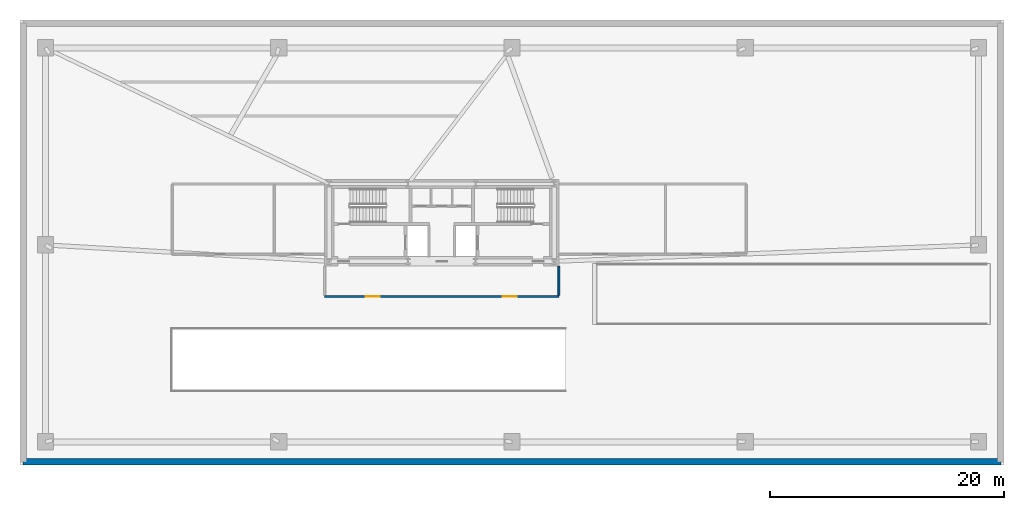
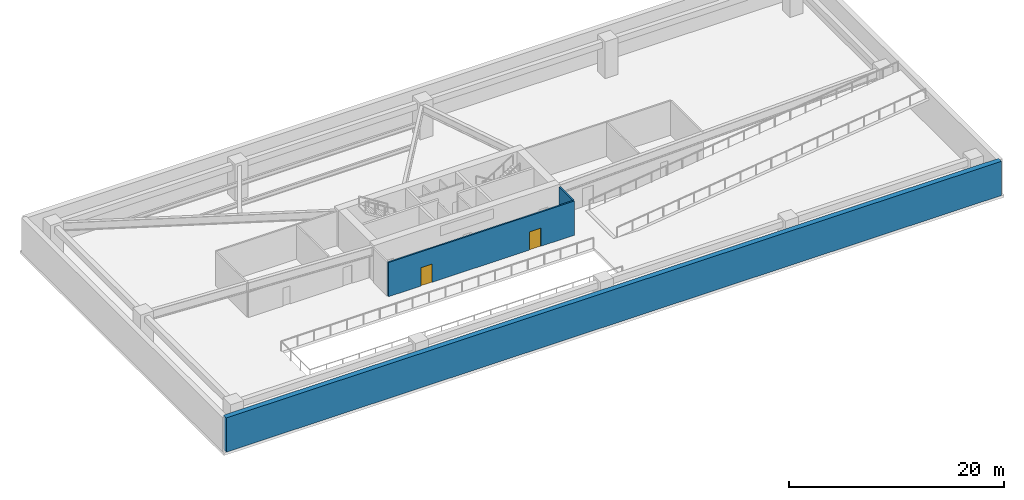
# One storey, part 3 of 7: 3 walls, 2 doors, 2 openings.
"""IFC4 building model written with IfcOpenShell, lengths in metres."""

from ifc_helpers import new_model, si_unit, direction, frame, frame_2d, origin, place, context, subcontext, project, spatial, rectangle, extrude, source, transform, mapped, material, layer, layer_set, type_object, type_shapes, element, fill, save


model = new_model("IFC4")

# Units and contexts
model_context = context("Model", 3, precision=1e-05, world=origin(), true_north=direction((0.0, 1.0)))
body_context = subcontext(model_context, "Body", "Model", "MODEL_VIEW")
ifc_project = project(units=[si_unit("LENGTHUNIT", "METRE"), si_unit("AREAUNIT", "SQUARE_METRE"), si_unit("VOLUMEUNIT", "CUBIC_METRE"), si_unit("PLANEANGLEUNIT", "RADIAN"), si_unit("MASSUNIT", "GRAM", prefix="KILO")], contexts=[model_context])

# Site, building, storey
site_placement = place(None, origin())
site = spatial("IfcSite", under=ifc_project, at=site_placement, CompositionType="ELEMENT")
building_placement = place(site_placement, origin())
building = spatial("IfcBuilding", under=site, at=building_placement, Name="Astriad Promenade Condominiums", CompositionType="ELEMENT")
storey_placement = place(building_placement, frame((0.0, 0.0, -4.199951171875)))
storey = spatial("IfcBuildingStorey", under=building, at=storey_placement, Name="B01", CompositionType="ELEMENT", Elevation=-4.199951171875)

# Wall, openings, doors
ifc_material_1 = material(Name="Fire-Rated Gypsum Partition")
ifc_layer_1 = layer(ifc_material_1, 0.159912109375)
ifc_layer_set_1 = layer_set([ifc_layer_1], Name="Fire-Rated Gypsum Partition")
wall_type_1 = type_object("IfcWallType", Name="WALL-CORR-160", PredefinedType="PARTITIONING", material=ifc_layer_set_1)
wall_1_placement = place(storey_placement, frame((26.0, 14.39990234375, 0.0), z_axis=(0.0, 0.0, 1.0), x_axis=(1.0, 0.0, 0.0)))
wall_1 = element("IfcWall", 1, at=wall_1_placement, inside=storey, type_object=wall_type_1, Name="PT-B01-VLOB-S", PredefinedType="PARTITIONING", context=body_context, shape_type="SweptSolid", body=[
    extrude(rectangle(XDim=20.0, YDim=0.159912109375, at=frame_2d((10.0, 0.0))), origin(), (0.0, 0.0, 1.0), 3.89990234375),
])
opening_1_placement = place(wall_1_placement, frame((3.5, 0.0, 0.0)))
opening_1 = element("IfcOpeningElement", 2, at=opening_1_placement, cuts=wall_1, Name="Opening FD90-PLT-1222", PredefinedType="OPENING", context=body_context, shape_type="SweptSolid", body=[
    extrude(rectangle(XDim=1.199951171875, YDim=2.080078125, at=frame_2d((0.60009765625, 1.0400390625))), frame((0.0, 0.08984375, 0.0), z_axis=(0.0, -1.0, 0.0), x_axis=(1.0, 0.0, 0.0)), (0.0, 0.0, 1.0), 0.179931640625),
])
opening_2_placement = place(wall_1_placement, frame((15.199951171875, 0.0, 0.0)))
opening_2 = element("IfcOpeningElement", 3, at=opening_2_placement, cuts=wall_1, Name="Opening FD90-PLT-1222", PredefinedType="OPENING", context=body_context, shape_type="SweptSolid", body=[
    extrude(rectangle(XDim=1.199951171875, YDim=2.080078125, at=frame_2d((0.60009765625, 1.0400390625))), frame((0.0, 0.08984375, 0.0), z_axis=(0.0, -1.0, 0.0), x_axis=(1.0, 0.0, 0.0)), (0.0, 0.0, 1.0), 0.179931640625),
])
ifc_material_2 = material(Name="Fire-Rated Double-Insulated Plant Door")
door_type = type_object("IfcDoorType", Name="FD90-PLT-1222", OperationType="NOTDEFINED", PredefinedType="DOOR", material=ifc_material_2)
shared_shape = source(origin(), body_context, "Body", "SweptSolid", [
    extrude(rectangle(XDim=1.199951171875, YDim=2.080078125, at=frame_2d((0.60009765625, 1.0400390625))), frame((0.0, 0.02490234375, 0.0), z_axis=(0.0, -1.0, 0.0), x_axis=(1.0, 0.0, 0.0)), (0.0, 0.0, 1.0), 0.050048828125),
])
type_shapes(door_type, [shared_shape])
door_1_placement = place(opening_1_placement, origin())
door_1 = element("IfcDoor", 4, at=door_1_placement, inside=storey, type_object=door_type, Name="D-B01-VL1", OperationType="SINGLE_SWING_LEFT", OverallHeight=2.080078125, OverallWidth=1.199951171875, PredefinedType="DOOR", context=body_context, shape_type="MappedRepresentation", body=[
    mapped(shared_shape, transform((0.0, 0.0, 0.0), scale=1.0)),
])
fill(opening_1, door_1)
door_2_placement = place(opening_2_placement, origin())
door_2 = element("IfcDoor", 5, at=door_2_placement, inside=storey, type_object=door_type, Name="D-B01-VL2", OperationType="SINGLE_SWING_RIGHT", OverallHeight=2.080078125, OverallWidth=1.199951171875, PredefinedType="DOOR", context=body_context, shape_type="MappedRepresentation", body=[
    mapped(shared_shape, transform((0.0, 0.0, 0.0), scale=1.0)),
])
fill(opening_2, door_2)

# Walls
wall_2_placement = place(storey_placement, frame((46.0, 14.48193359375, 0.0), z_axis=(0.0, 0.0, 1.0), x_axis=(0.0, 1.0, 0.0)))
element("IfcWall", 6, at=wall_2_placement, inside=storey, type_object=wall_type_1, Name="PT-B01-VLOB-E", PredefinedType="PARTITIONING", context=body_context, shape_type="SweptSolid", body=[
    extrude(rectangle(XDim=2.51611328125, YDim=0.159912109375, at=frame_2d((1.258056640625, 0.0))), origin(), (0.0, 0.0, 1.0), 3.89990234375),
])
ifc_material_3 = material(Name="Concrete C50/60", Category="concrete")
ifc_layer_2 = layer(ifc_material_3, 0.550048828125)
ifc_layer_set_2 = layer_set([ifc_layer_2], Name="Concrete C50/60")
wall_type_2 = type_object("IfcWallType", Name="WALL-RET-550", PredefinedType="SOLIDWALL", material=ifc_layer_set_2)
wall_3_placement = place(storey_placement, frame((83.72509765625, 0.27490234375, 0.0), z_axis=(0.0, 0.0, 1.0), x_axis=(-1.0, 0.0, 0.0)))
element("IfcWall", 7, at=wall_3_placement, inside=storey, type_object=wall_type_2, Name="W-RET-B01-4", PredefinedType="SOLIDWALL", context=body_context, shape_type="SweptSolid", body=[
    extrude(rectangle(XDim=83.4501953125, YDim=0.550048828125, at=frame_2d((41.72509765625, 0.0))), origin(), (0.0, 0.0, 1.0), 3.89990234375),
])

save(model, "model.ifc")
